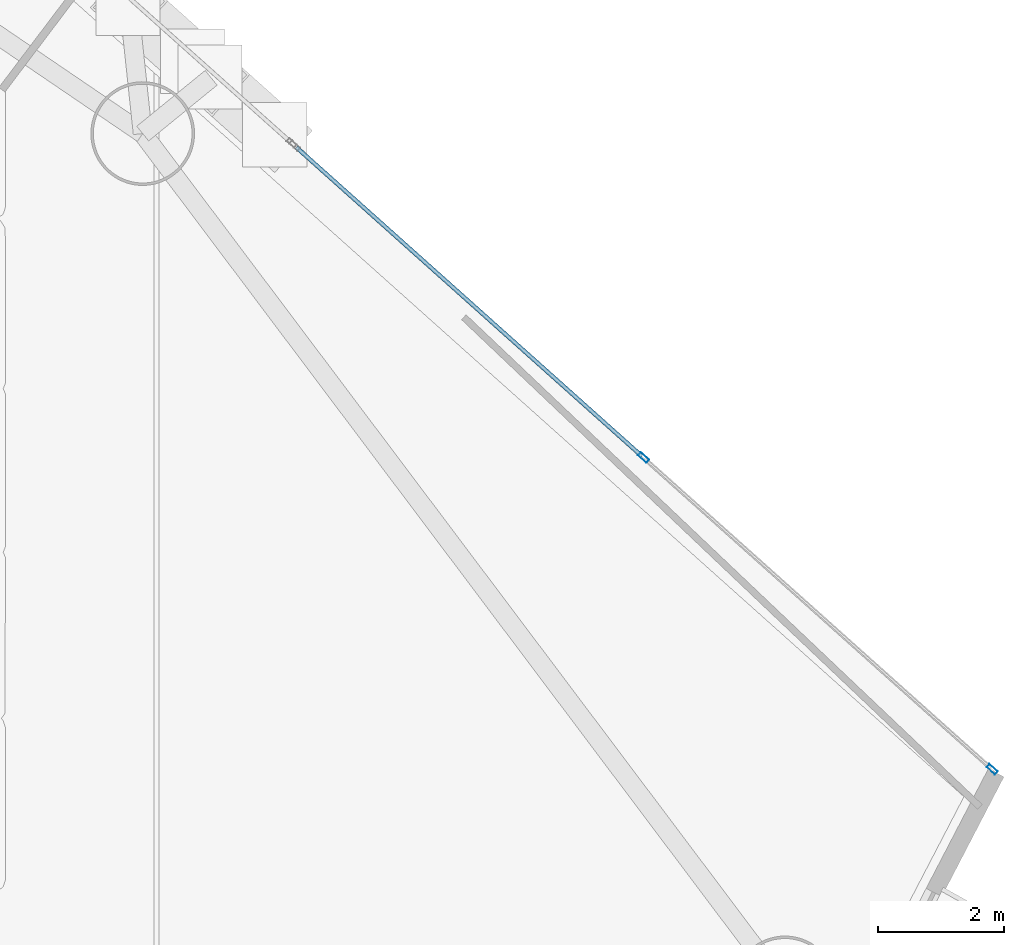
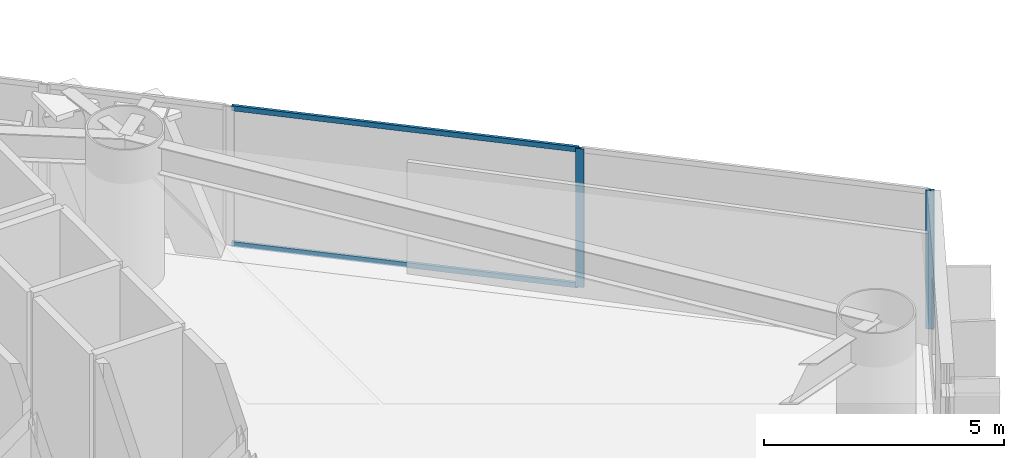
# One storey, part 15 of 24: 4 members, 1 element without a shape of its own.
"""IFC4 building model written with IfcOpenShell, lengths in metres."""

from ifc_helpers import new_model, si_unit, direction, frame, origin, origin_2d, place, context, subcontext, project, spatial, hollow_rectangle, extrude, material, layer, layer_set, material_profile, profile_set, type_object, element, aggregate, save


model = new_model("IFC4")

# Units and contexts
model_context = context("Model", 3, precision=1e-05, world=origin(), true_north=direction((0.0, 1.0)))
body_context = subcontext(model_context, "Body", "Model", "MODEL_VIEW")
ifc_project = project(units=[si_unit("LENGTHUNIT", "METRE"), si_unit("AREAUNIT", "SQUARE_METRE"), si_unit("VOLUMEUNIT", "CUBIC_METRE"), si_unit("PLANEANGLEUNIT", "RADIAN"), si_unit("MASSUNIT", "GRAM", prefix="KILO")], contexts=[model_context])

# Site, building, storey
site_placement = place(None, origin())
site = spatial("IfcSite", under=ifc_project, at=site_placement, CompositionType="ELEMENT")
building_placement = place(site_placement, origin())
building = spatial("IfcBuilding", under=site, at=building_placement, Name="Qianvela Tower", CompositionType="ELEMENT")
storey_placement = place(building_placement, frame((0.0, 0.0, 71.0)))
storey = spatial("IfcBuildingStorey", under=building, at=storey_placement, Name="L17", CompositionType="ELEMENT", Elevation=71.0)

# Curtain wall, members
ifc_material_1 = material(Name="Anodised Architectural Aluminium and Low-E Glass", Category="aluminium")
ifc_layer = layer(ifc_material_1, 0.179931640625)
ifc_layer_set = layer_set([ifc_layer], Name="Anodised Architectural Aluminium and Low-E Glass")
curtain_wall_type = type_object("IfcCurtainWallType", Name="CW-COLIV-Z12", PredefinedType="USERDEFINED", material=ifc_layer_set)
curtain_wall_placement = place(storey_placement, origin())
curtain_wall = element("IfcCurtainWall", 1, at=curtain_wall_placement, inside=storey, type_object=curtain_wall_type, Name="L17 CW-COLIV-Z12 Curtain Wall 02A", ObjectType="CURTAIN_WALL_SYSTEM", PredefinedType="USERDEFINED")
ifc_material_2 = material(Name="Anodised Architectural Aluminium 6063-T6", Category="aluminium")
ifc_material_profile_1 = material_profile(ifc_material_2, hollow_rectangle(XDim=0.070068359375, YDim=0.179931640625, WallThickness=0.0048828125, at=origin_2d()), Name="ALU-MULL-70x180")
ifc_profile_set_1 = profile_set([ifc_material_profile_1], Name="Anodised Architectural Aluminium 6063-T6")
member_type_1 = type_object("IfcMemberType", Name="CW-COLIV-Z12-MULL", PredefinedType="MULLION", material=ifc_profile_set_1)
member_1_placement = place(storey_placement, frame((59.49658203125, 23.945556640625, 0.0), z_axis=(0.0, 0.0, 1.0), x_axis=(-0.66644421054, -0.74555490357, 0.0)))
member_1 = element("IfcMember", 2, at=member_1_placement, type_object=member_type_1, Name="CW-3 mullion 1", PredefinedType="MULLION", context=body_context, shape_type="SweptSolid", body=[
    extrude(hollow_rectangle(XDim=0.070068359375, YDim=0.179931640625, WallThickness=0.0048828125, at=origin_2d()), origin(), (0.0, 0.0, 1.0), 3.52001953125),
])
member_2_placement = place(storey_placement, frame((53.94970703125, 28.90380859375, 0.0), z_axis=(0.0, 0.0, 1.0), x_axis=(-0.66644421054, -0.74555490357, 0.0)))
member_2 = element("IfcMember", 3, at=member_2_placement, type_object=member_type_1, Name="CW-3 mullion 2", PredefinedType="MULLION", context=body_context, shape_type="SweptSolid", body=[
    extrude(hollow_rectangle(XDim=0.070068359375, YDim=0.179931640625, WallThickness=0.0048828125, at=origin_2d()), origin(), (0.0, 0.0, 1.0), 3.52001953125),
])
ifc_material_3 = material(Name="Anodised Architectural Aluminium 6063-T6", Category="aluminium")
ifc_material_profile_2 = material_profile(ifc_material_3, hollow_rectangle(XDim=0.06494140625, YDim=0.1298828125, WallThickness=0.00439453125, at=origin_2d()), Name="ALU-TRAN-65x130")
ifc_profile_set_2 = profile_set([ifc_material_profile_2], Name="Anodised Architectural Aluminium 6063-T6")
member_type_2 = type_object("IfcMemberType", Name="CW-COLIV-Z12-TRAN", PredefinedType="USERDEFINED", material=ifc_profile_set_2)
member_3_placement = place(storey_placement, frame((53.923583984375, 28.92724609375, 0.032470703125), z_axis=(-0.7455678469, 0.666429730481, 0.0), x_axis=(-0.666429730481, -0.7455678469, 0.0)))
member_3 = element("IfcMember", 4, at=member_3_placement, type_object=member_type_2, Name="CW-3 transom 2.1", ObjectType="TRANSOM", PredefinedType="USERDEFINED", context=body_context, shape_type="SweptSolid", body=[
    extrude(hollow_rectangle(XDim=0.06494140625, YDim=0.1298828125, WallThickness=0.00439453125, at=origin_2d()), origin(), (0.0, 0.0, 1.0), 7.3701171875),
])
member_4_placement = place(storey_placement, frame((53.923583984375, 28.92724609375, 3.487548828125), z_axis=(-0.7455678469, 0.666429730481, 0.0), x_axis=(-0.666429730481, -0.7455678469, 0.0)))
member_4 = element("IfcMember", 5, at=member_4_placement, type_object=member_type_2, Name="CW-3 transom 2.2", ObjectType="TRANSOM", PredefinedType="USERDEFINED", context=body_context, shape_type="SweptSolid", body=[
    extrude(hollow_rectangle(XDim=0.06494140625, YDim=0.1298828125, WallThickness=0.00439453125, at=origin_2d()), origin(), (0.0, 0.0, 1.0), 7.3701171875),
])
aggregate(curtain_wall, [member_1, member_2, member_3, member_4])

save(model, "model.ifc")
